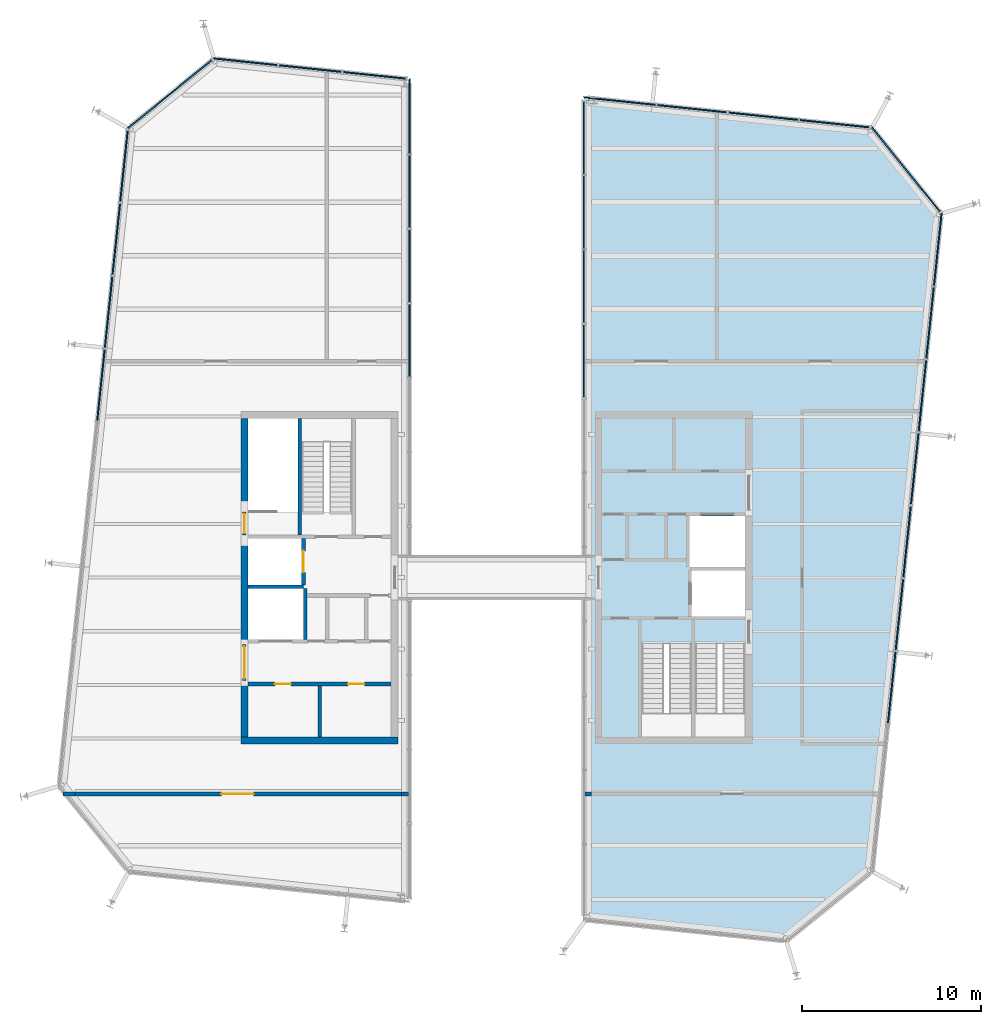
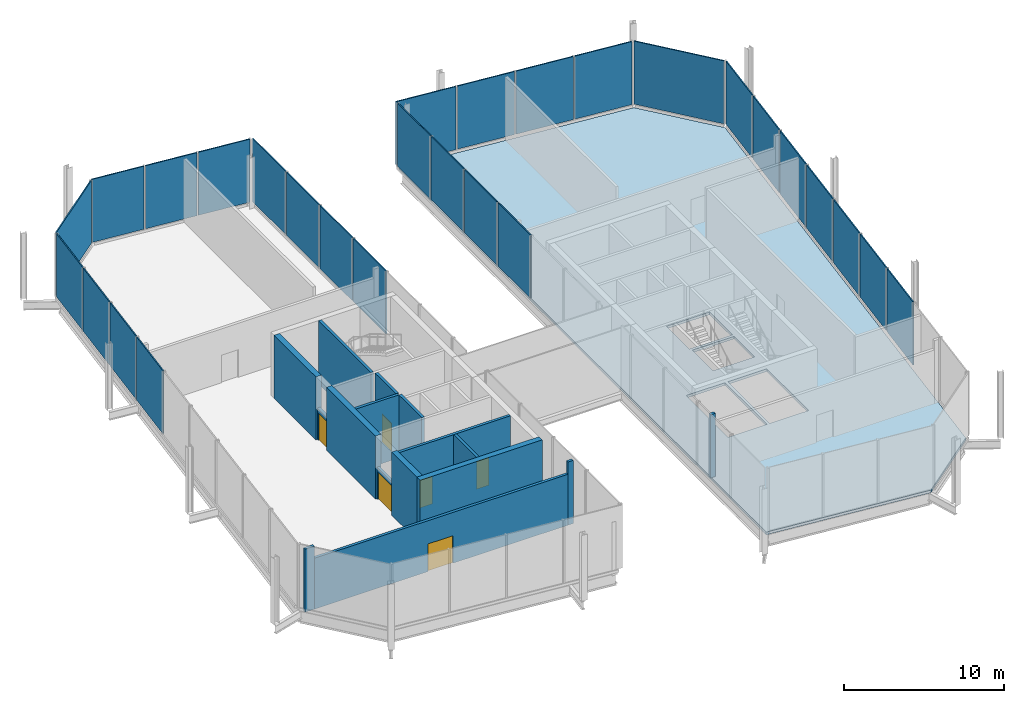
# One storey, part 8 of 12: 28 plates, 16 walls, 6 doors, 1 slab, 6 openings, 8 elements without a shape of their own.
"""IFC4 building model written with IfcOpenShell, lengths in metres."""

import ifcopenshell
import ifcopenshell.guid

model = None  # the IFC model being written
_history = None  # IfcOwnerHistory: only IFC2X3 demands one
_inside = {}  # id of a spatial element -> (the spatial element, [elements in it])
_under = {}  # id of a project, library or spatial element -> (it, [spatial elements below it])
_declared = {}  # id of a project -> (the project, [libraries it declares])
_typed = {}  # id of a type object -> (the type object, [elements of that type])
_made_of = {}  # id of a material, layer set ... -> (it, [elements and type objects made of it])


def new_model(schema):
    """Start an empty IFC model of exactly this schema.

    Asked for "IFC4X3", IfcOpenShell would pick the latest addendum, in which some entities
    have other attributes; the version numbers below select the first issue.
    IFC2X3 requires an IfcOwnerHistory on every rooted entity: one is made here for all.
    """
    global model, _history
    if schema == "IFC4X3":
        model = ifcopenshell.file(schema_version=(4, 3, 0, 0))
    else:
        model = ifcopenshell.file(schema=schema)
    _inside.clear()
    _under.clear()
    _declared.clear()
    _typed.clear()
    _made_of.clear()
    _history = None
    if model.schema == "IFC2X3":
        org = make("IfcOrganization", Name="unknown")
        user = make(
            "IfcPersonAndOrganization",
            ThePerson=make("IfcPerson", FamilyName="unknown"),
            TheOrganization=org,
        )
        app = make(
            "IfcApplication",
            ApplicationDeveloper=org,
            Version="unknown",
            ApplicationFullName="unknown",
            ApplicationIdentifier="unknown",
        )
        _history = make(
            "IfcOwnerHistory",
            OwningUser=user,
            OwningApplication=app,
            ChangeAction="ADDED",
            CreationDate=0,
        )
    return model


def make(cls, **values):
    """One entity of the class cls with the attributes given. An attribute that is None is left unset."""
    return model.create_entity(
        cls, **{name: value for name, value in values.items() if value is not None}
    )


def rooted(cls, **values):
    """An entity with a GlobalId (a new one), such as an element, a storey or a relation."""
    return make(cls, GlobalId=ifcopenshell.guid.new(), OwnerHistory=_history, **values)


def si_unit(unit_type, name, prefix=None):
    """IfcSIUnit, for example si_unit("LENGTHUNIT", "METRE", prefix="MILLI")."""
    return make("IfcSIUnit", UnitType=unit_type, Prefix=prefix, Name=name)


def assignment(units):
    """IfcUnitAssignment: the units of a project."""
    return None if units is None else make("IfcUnitAssignment", Units=units)


def point(xyz):
    """IfcCartesianPoint."""
    return None if xyz is None else make("IfcCartesianPoint", Coordinates=xyz)


def direction(xyz):
    """IfcDirection."""
    return None if xyz is None else make("IfcDirection", DirectionRatios=xyz)


def frame(location, z_axis=None, x_axis=None):
    """IfcAxis2Placement3D, a coordinate frame: its origin and axes. An axis left out is left unset."""
    return make(
        "IfcAxis2Placement3D",
        Location=point(location),
        Axis=direction(z_axis),
        RefDirection=direction(x_axis),
    )


def frame_2d(location, x_axis=None):
    """IfcAxis2Placement2D, a coordinate frame in the plane: its origin and x axis."""
    return make(
        "IfcAxis2Placement2D", Location=point(location), RefDirection=direction(x_axis)
    )


def origin():
    """The frame at (0, 0, 0) with its axes left unset."""
    return frame((0.0, 0.0, 0.0))


def place(relative_to, where):
    """IfcLocalPlacement: puts the frame where relative to a parent placement (None: the world)."""
    return make(
        "IfcLocalPlacement", PlacementRelTo=relative_to, RelativePlacement=where
    )


def context(
    kind, dimensions, precision=None, world=None, true_north=None, identifier=None
):
    """IfcGeometricRepresentationContext, for example the 3D "Model" context."""
    return make(
        "IfcGeometricRepresentationContext",
        ContextIdentifier=identifier,
        ContextType=kind,
        CoordinateSpaceDimension=dimensions,
        Precision=precision,
        WorldCoordinateSystem=world,
        TrueNorth=true_north,
    )


def subcontext(parent, identifier, kind, view, scale=None):
    """IfcGeometricRepresentationSubContext, for example "Body" below "Model"."""
    return make(
        "IfcGeometricRepresentationSubContext",
        ContextIdentifier=identifier,
        ContextType=kind,
        ParentContext=parent,
        TargetScale=scale,
        TargetView=view,
    )


def project(units=None, contexts=None):
    """IfcProject with its units and contexts."""
    return rooted(
        "IfcProject",
        Name="project",
        RepresentationContexts=contexts,
        UnitsInContext=assignment(units),
    )


def spatial(cls, under=None, at=None, **own):
    """A site, building, storey or space (cls), placed at a placement, below another one or the project."""
    s = rooted(cls, ObjectPlacement=at, **own)
    if under is not None:
        _under.setdefault(under.id(), (under, []))[1].append(s)
    return s


def polyline(points):
    """IfcPolyline through the points."""
    return make("IfcPolyline", Points=[point(p) for p in points])


def profile(cls, at=None, kind="AREA", **sizes):
    """A parametric profile (cls). Its sizes go by their IFC names, for example OverallWidth=200.0."""
    return make(cls, ProfileType=kind, Position=at, **sizes)


def rectangle(**sizes):
    """IfcRectangleProfileDef."""
    return profile("IfcRectangleProfileDef", **sizes)


def outline(outer, holes=None, kind="AREA"):
    """IfcArbitraryClosedProfileDef: a profile drawn as a closed curve; with holes, ...WithVoids."""
    if holes is None:
        return make("IfcArbitraryClosedProfileDef", ProfileType=kind, OuterCurve=outer)
    return make(
        "IfcArbitraryProfileDefWithVoids",
        ProfileType=kind,
        OuterCurve=outer,
        InnerCurves=holes,
    )


def extrude(swept, where, along, depth):
    """IfcExtrudedAreaSolid: the profile swept, set in the frame where, extruded along a direction by depth."""
    return make(
        "IfcExtrudedAreaSolid",
        SweptArea=swept,
        Position=where,
        ExtrudedDirection=direction(along),
        Depth=depth,
    )


def shape(context_of_items, identifier, shape_type, items):
    """IfcShapeRepresentation: the items that make up one representation, for example the "Body"."""
    return make(
        "IfcShapeRepresentation",
        ContextOfItems=context_of_items,
        RepresentationIdentifier=identifier,
        RepresentationType=shape_type,
        Items=items,
    )


def material(Name=None, Category=None):
    """IfcMaterial."""
    return make("IfcMaterial", Name=Name, Category=Category)


def layer(
    of_material, thickness, ventilated=None, Name=None, Category=None, Priority=None
):
    """IfcMaterialLayer: one layer of a wall or slab, of a material (None: an air gap)."""
    return make(
        "IfcMaterialLayer",
        Material=of_material,
        LayerThickness=thickness,
        IsVentilated=ventilated,
        Name=Name,
        Category=Category,
        Priority=Priority,
    )


def layer_set(layers, Name=None):
    """IfcMaterialLayerSet."""
    return make("IfcMaterialLayerSet", MaterialLayers=layers, LayerSetName=Name)


def made_of(thing, what):
    """Note that an element or type object is made of a material, layer set ...; save() writes the relation."""
    if what is not None:
        _made_of.setdefault(what.id(), (what, []))[1].append(thing)
    return thing


def type_object(cls, material=None, **own):
    """A type object (cls), such as IfcWallType, which elements share."""
    return made_of(rooted(cls, **own), material)


def element(
    cls,
    number,
    at=None,
    inside=None,
    cuts=None,
    type_object=None,
    material=None,
    context=None,
    identifier="Body",
    shape_type=None,
    held_by="IfcProductDefinitionShape",
    body=None,
    shapes=None,
    **own,
):
    """One element of the class cls, such as IfcWall. Its Tag is "e" and its number.

    at: its placement. inside: the storey or other place that contains it. cuts: it is an
    opening in that element (IfcRelVoidsElement). A single representation is given by context,
    identifier, shape_type and body (its items); several are given by shapes. held_by: the class
    of the entity that holds the representations. save() writes the other relations.
    """
    e = rooted(cls, Tag="e%d" % number, ObjectPlacement=at, **own)
    if body is not None:
        shapes = [shape(context, identifier, shape_type, body)]
    if shapes is not None:
        e.Representation = make(held_by, Representations=shapes)
    if inside is not None:
        _inside.setdefault(inside.id(), (inside, []))[1].append(e)
    if cuts is not None:
        rooted(
            "IfcRelVoidsElement", RelatingBuildingElement=cuts, RelatedOpeningElement=e
        )
    if type_object is not None:
        _typed.setdefault(type_object.id(), (type_object, []))[1].append(e)
    return made_of(e, material)


def fill(opening, filler):
    """IfcRelFillsElement: the door or window that sits in an opening."""
    return rooted(
        "IfcRelFillsElement",
        RelatingOpeningElement=opening,
        RelatedBuildingElement=filler,
    )


def aggregate(whole, parts):
    """IfcRelAggregates: a whole, such as a stair, and the parts it consists of."""
    return rooted("IfcRelAggregates", RelatingObject=whole, RelatedObjects=parts)


def save(model, path):
    """Write the relations noted so far, then the file.

    IfcRelAggregates (storeys below a building ...), IfcRelContainedInSpatialStructure (elements
    in a storey), IfcRelDefinesByType, IfcRelAssociatesMaterial and IfcRelDeclares: one each for
    every whole, place, type object, material and project.
    """
    for whole, parts in _under.values():
        aggregate(whole, parts)
    for where, things in _inside.values():
        rooted(
            "IfcRelContainedInSpatialStructure",
            RelatedElements=things,
            RelatingStructure=where,
        )
    for kind, things in _typed.values():
        rooted("IfcRelDefinesByType", RelatedObjects=things, RelatingType=kind)
    for what, things in _made_of.values():
        rooted("IfcRelAssociatesMaterial", RelatedObjects=things, RelatingMaterial=what)
    for by, libraries in _declared.values():
        rooted("IfcRelDeclares", RelatingContext=by, RelatedDefinitions=libraries)
    model.write(path)


model = new_model("IFC4")

# Units and contexts
model_context = context("Model", 3, precision=1e-05, world=origin(), true_north=direction((0.0, 1.0)))
body_context = subcontext(model_context, "Body", "Model", "MODEL_VIEW")
ifc_project = project(units=[si_unit("LENGTHUNIT", "METRE"), si_unit("AREAUNIT", "SQUARE_METRE"), si_unit("VOLUMEUNIT", "CUBIC_METRE"), si_unit("PLANEANGLEUNIT", "RADIAN"), si_unit("MASSUNIT", "GRAM", prefix="KILO")], contexts=[model_context])

# Site, building, storey
site_placement = place(None, origin())
site = spatial("IfcSite", under=ifc_project, at=site_placement, CompositionType="ELEMENT")
building_placement = place(site_placement, origin())
building = spatial("IfcBuilding", under=site, at=building_placement, Name="Millrace Tower", CompositionType="ELEMENT")
storey_placement = place(building_placement, frame((0.0, 0.0, 347.10009765625)))
storey = spatial("IfcBuildingStorey", under=building, at=storey_placement, Name="L80", CompositionType="ELEMENT", Elevation=347.10009765625)

# Curtain wall, plates
ifc_material_1 = material(Name="Aluminium and glass", Category="aluminium")
ifc_layer_1 = layer(ifc_material_1, 0.25)
ifc_layer_set_1 = layer_set([ifc_layer_1], Name="Aluminium and glass")
curtain_wall_type = type_object("IfcCurtainWallType", Name="CW-7 crown louvred enclosure", PredefinedType="NOTDEFINED", material=ifc_layer_set_1)
placement_1 = place(storey_placement, origin())
curtain_wall_1 = element("IfcCurtainWall", 1, at=placement_1, inside=storey, type_object=curtain_wall_type, Name="Curtain wall CW-F01 L80", PredefinedType="NOTDEFINED")
ifc_material_2 = material(Name="Glass", Category="glass")
ifc_layer_2 = layer(ifc_material_2, 0.080078125)
ifc_layer_set_2 = layer_set([ifc_layer_2], Name="Glass")
plate_type = type_object("IfcPlateType", Name="CW-7 crown louvred enclosure fixed louvre panel", PredefinedType="CURTAIN_PANEL", material=ifc_layer_set_2)
placement_2 = place(storey_placement, frame((0.0, 0.0, 0.199951171875)))
plate_1 = element("IfcPlate", 2, at=placement_2, type_object=plate_type, Name="CW7 panel CW-F01.8", PredefinedType="CURTAIN_PANEL", context=body_context, shape_type="SweptSolid", body=[
    extrude(outline(polyline([(-4.8349609375, 11.2353515625), (-4.8349609375, 15.29443359375), (-4.9150390625, 15.29443359375), (-4.9150390625, 11.2353515625), (-4.8349609375, 11.2353515625)])), origin(), (0.0, 0.0, 1.0), 4.800048828125),
])
plate_2 = element("IfcPlate", 3, at=placement_2, type_object=plate_type, Name="CW7 panel CW-F01.9", PredefinedType="CURTAIN_PANEL", context=body_context, shape_type="SweptSolid", body=[
    extrude(outline(polyline([(-4.8349609375, 15.39453125), (-4.8349609375, 19.45361328125), (-4.9150390625, 19.45361328125), (-4.9150390625, 15.39453125), (-4.8349609375, 15.39453125)])), origin(), (0.0, 0.0, 1.0), 4.800048828125),
])
plate_3 = element("IfcPlate", 4, at=placement_2, type_object=plate_type, Name="CW7 panel CW-F01.10", PredefinedType="CURTAIN_PANEL", context=body_context, shape_type="SweptSolid", body=[
    extrude(outline(polyline([(-4.8349609375, 19.553466796875), (-4.8349609375, 23.61279296875), (-4.9150390625, 23.61279296875), (-4.9150390625, 19.553466796875), (-4.8349609375, 19.553466796875)])), origin(), (0.0, 0.0, 1.0), 4.800048828125),
])
plate_4 = element("IfcPlate", 5, at=placement_2, type_object=plate_type, Name="CW7 panel CW-F01.11", PredefinedType="CURTAIN_PANEL", context=body_context, shape_type="SweptSolid", body=[
    extrude(outline(polyline([(-4.8349609375, 23.712646484375), (-4.8349609375, 27.92041015625), (-4.9150390625, 27.848388671875), (-4.9150390625, 23.712646484375), (-4.8349609375, 23.712646484375)])), origin(), (0.0, 0.0, 1.0), 4.800048828125),
])
aggregate(curtain_wall_1, [plate_1, plate_2, plate_3, plate_4])

curtain_wall_2 = element("IfcCurtainWall", 6, at=placement_1, inside=storey, type_object=curtain_wall_type, Name="Curtain wall CW-F02 L80", PredefinedType="NOTDEFINED")
plate_5 = element("IfcPlate", 7, at=placement_2, type_object=plate_type, Name="CW7 panel CW-F02.1", PredefinedType="CURTAIN_PANEL", context=body_context, shape_type="SweptSolid", body=[
    extrude(outline(polyline([(-5.082275390625, 27.9462890625), (-8.572998046875, 28.313232421875), (-8.581298828125, 28.233642578125), (-5.090576171875, 27.866943359375), (-5.082275390625, 27.9462890625)])), origin(), (0.0, 0.0, 1.0), 4.800048828125),
])
plate_6 = element("IfcPlate", 8, at=placement_2, type_object=plate_type, Name="CW7 panel CW-F02.2", PredefinedType="CURTAIN_PANEL", context=body_context, shape_type="SweptSolid", body=[
    extrude(outline(polyline([(-8.672607421875, 28.32373046875), (-12.163330078125, 28.690673828125), (-12.171630859375, 28.611083984375), (-8.680908203125, 28.244140625), (-8.672607421875, 28.32373046875)])), origin(), (0.0, 0.0, 1.0), 4.800048828125),
])
plate_7 = element("IfcPlate", 9, at=placement_2, type_object=plate_type, Name="CW7 panel CW-F02.3", PredefinedType="CURTAIN_PANEL", context=body_context, shape_type="SweptSolid", body=[
    extrude(outline(polyline([(-12.2626953125, 28.701171875), (-15.821533203125, 29.0751953125), (-15.797119140625, 28.9921875), (-12.271240234375, 28.62158203125), (-12.2626953125, 28.701171875)])), origin(), (0.0, 0.0, 1.0), 4.800048828125),
])
aggregate(curtain_wall_2, [plate_5, plate_6, plate_7])

# Curtain wall, plate
curtain_wall_3 = element("IfcCurtainWall", 10, at=placement_1, inside=storey, type_object=curtain_wall_type, Name="Curtain wall CW-F03 L80", PredefinedType="NOTDEFINED")
plate_8 = element("IfcPlate", 11, at=placement_2, type_object=plate_type, Name="CW7 panel CW-F03.1", PredefinedType="CURTAIN_PANEL", context=body_context, shape_type="SweptSolid", body=[
    extrude(outline(polyline([(-15.952392578125, 28.96923828125), (-20.65380859375, 25.162109375), (-20.57763671875, 25.120849609375), (-15.902099609375, 28.906982421875), (-15.952392578125, 28.96923828125)])), origin(), (0.0, 0.0, 1.0), 4.800048828125),
])
aggregate(curtain_wall_3, [plate_8])

# Curtain wall, plates
curtain_wall_4 = element("IfcCurtainWall", 12, at=placement_1, inside=storey, type_object=curtain_wall_type, Name="Curtain wall CW-F04 L80", PredefinedType="NOTDEFINED")
plate_9 = element("IfcPlate", 13, at=placement_2, type_object=plate_type, Name="CW7 panel CW-F04.1", PredefinedType="CURTAIN_PANEL", context=body_context, shape_type="SweptSolid", body=[
    extrude(outline(polyline([(-20.67138671875, 24.99462890625), (-21.089599609375, 21.0166015625), (-21.010009765625, 21.00830078125), (-20.591796875, 24.986328125), (-20.67138671875, 24.99462890625)])), origin(), (0.0, 0.0, 1.0), 4.800048828125),
])
plate_10 = element("IfcPlate", 14, at=placement_2, type_object=plate_type, Name="CW7 panel CW-F04.2", PredefinedType="CURTAIN_PANEL", context=body_context, shape_type="SweptSolid", body=[
    extrude(outline(polyline([(-21.099853515625, 20.917236328125), (-21.51806640625, 16.939208984375), (-21.4384765625, 16.9306640625), (-21.020263671875, 20.908935546875), (-21.099853515625, 20.917236328125)])), origin(), (0.0, 0.0, 1.0), 4.800048828125),
])
plate_11 = element("IfcPlate", 15, at=placement_2, type_object=plate_type, Name="CW7 panel CW-F04.3", PredefinedType="CURTAIN_PANEL", context=body_context, shape_type="SweptSolid", body=[
    extrude(outline(polyline([(-21.528564453125, 16.839599609375), (-21.946533203125, 12.861572265625), (-21.866943359375, 12.853271484375), (-21.448974609375, 16.831298828125), (-21.528564453125, 16.839599609375)])), origin(), (0.0, 0.0, 1.0), 4.800048828125),
])
plate_12 = element("IfcPlate", 16, at=placement_2, type_object=plate_type, Name="CW7 panel CW-F04.4", PredefinedType="CURTAIN_PANEL", context=body_context, shape_type="SweptSolid", body=[
    extrude(outline(polyline([(-21.95703125, 12.76220703125), (-22.375244140625, 8.783935546875), (-22.295654296875, 8.775634765625), (-21.87744140625, 12.753662109375), (-21.95703125, 12.76220703125)])), origin(), (0.0, 0.0, 1.0), 4.800048828125),
])
aggregate(curtain_wall_4, [plate_9, plate_10, plate_11, plate_12])

curtain_wall_5 = element("IfcCurtainWall", 17, at=placement_1, inside=storey, type_object=curtain_wall_type, Name="Curtain wall CE-F01 L80", PredefinedType="NOTDEFINED")
plate_13 = element("IfcPlate", 18, at=placement_2, type_object=plate_type, Name="CW7 panel CE-F01.1", PredefinedType="CURTAIN_PANEL", context=body_context, shape_type="SweptSolid", body=[
    extrude(outline(polyline([(4.8349609375, 26.620849609375), (4.8349609375, 22.561767578125), (4.9150390625, 22.561767578125), (4.9150390625, 26.620849609375), (4.8349609375, 26.620849609375)])), origin(), (0.0, 0.0, 1.0), 4.800048828125),
])
plate_14 = element("IfcPlate", 19, at=placement_2, type_object=plate_type, Name="CW7 panel CE-F01.2", PredefinedType="CURTAIN_PANEL", context=body_context, shape_type="SweptSolid", body=[
    extrude(outline(polyline([(4.8349609375, 22.461669921875), (4.8349609375, 18.402587890625), (4.9150390625, 18.402587890625), (4.9150390625, 22.461669921875), (4.8349609375, 22.461669921875)])), origin(), (0.0, 0.0, 1.0), 4.800048828125),
])
plate_15 = element("IfcPlate", 20, at=placement_2, type_object=plate_type, Name="CW7 panel CE-F01.3", PredefinedType="CURTAIN_PANEL", context=body_context, shape_type="SweptSolid", body=[
    extrude(outline(polyline([(4.8349609375, 18.302490234375), (4.8349609375, 14.243408203125), (4.9150390625, 14.243408203125), (4.9150390625, 18.302490234375), (4.8349609375, 18.302490234375)])), origin(), (0.0, 0.0, 1.0), 4.800048828125),
])
plate_16 = element("IfcPlate", 21, at=placement_2, type_object=plate_type, Name="CW7 panel CE-F01.4", PredefinedType="CURTAIN_PANEL", context=body_context, shape_type="SweptSolid", body=[
    extrude(outline(polyline([(4.8349609375, 14.143310546875), (4.8349609375, 10.084228515625), (4.9150390625, 10.084228515625), (4.9150390625, 14.143310546875), (4.8349609375, 14.143310546875)])), origin(), (0.0, 0.0, 1.0), 4.800048828125),
])
aggregate(curtain_wall_5, [plate_13, plate_14, plate_15, plate_16])

curtain_wall_6 = element("IfcCurtainWall", 22, at=placement_1, inside=storey, type_object=curtain_wall_type, Name="Curtain wall CE-F04 L80", PredefinedType="NOTDEFINED")
plate_17 = element("IfcPlate", 23, at=placement_2, type_object=plate_type, Name="CW7 panel CE-F04.3", PredefinedType="CURTAIN_PANEL", context=body_context, shape_type="SweptSolid", body=[
    extrude(outline(polyline([(21.928466796875, -8.1396484375), (22.3466796875, -4.16162109375), (22.26708984375, -4.1533203125), (21.848876953125, -8.13134765625), (21.928466796875, -8.1396484375)])), origin(), (0.0, 0.0, 1.0), 4.800048828125),
])
plate_18 = element("IfcPlate", 24, at=placement_2, type_object=plate_type, Name="CW7 panel CE-F04.4", PredefinedType="CURTAIN_PANEL", context=body_context, shape_type="SweptSolid", body=[
    extrude(outline(polyline([(22.357177734375, -4.06201171875), (22.775146484375, -0.083984375), (22.695556640625, -0.07568359375), (22.277587890625, -4.0537109375), (22.357177734375, -4.06201171875)])), origin(), (0.0, 0.0, 1.0), 4.800048828125),
])
plate_19 = element("IfcPlate", 25, at=placement_2, type_object=plate_type, Name="CW7 panel CE-F04.5", PredefinedType="CURTAIN_PANEL", context=body_context, shape_type="SweptSolid", body=[
    extrude(outline(polyline([(22.78564453125, 0.015380859375), (23.203857421875, 3.993408203125), (23.124267578125, 4.001953125), (22.7060546875, 0.023681640625), (22.78564453125, 0.015380859375)])), origin(), (0.0, 0.0, 1.0), 4.800048828125),
])
plate_20 = element("IfcPlate", 26, at=placement_2, type_object=plate_type, Name="CW7 panel CE-F04.6", PredefinedType="CURTAIN_PANEL", context=body_context, shape_type="SweptSolid", body=[
    extrude(outline(polyline([(23.214111328125, 4.093017578125), (23.63232421875, 8.071044921875), (23.552734375, 8.079345703125), (23.134521484375, 4.101318359375), (23.214111328125, 4.093017578125)])), origin(), (0.0, 0.0, 1.0), 4.800048828125),
])
plate_21 = element("IfcPlate", 27, at=placement_2, type_object=plate_type, Name="CW7 panel CE-F04.7", PredefinedType="CURTAIN_PANEL", context=body_context, shape_type="SweptSolid", body=[
    extrude(outline(polyline([(23.642822265625, 8.17041015625), (24.060791015625, 12.148681640625), (23.9814453125, 12.156982421875), (23.563232421875, 8.178955078125), (23.642822265625, 8.17041015625)])), origin(), (0.0, 0.0, 1.0), 4.800048828125),
])
plate_22 = element("IfcPlate", 28, at=placement_2, type_object=plate_type, Name="CW7 panel CE-F04.8", PredefinedType="CURTAIN_PANEL", context=body_context, shape_type="SweptSolid", body=[
    extrude(outline(polyline([(24.0712890625, 12.248046875), (24.489501953125, 16.22607421875), (24.409912109375, 16.234375), (23.99169921875, 12.25634765625), (24.0712890625, 12.248046875)])), origin(), (0.0, 0.0, 1.0), 4.800048828125),
])
plate_23 = element("IfcPlate", 29, at=placement_2, type_object=plate_type, Name="CW7 panel CE-F04.9", PredefinedType="CURTAIN_PANEL", context=body_context, shape_type="SweptSolid", body=[
    extrude(outline(polyline([(24.5, 16.32568359375), (24.925048828125, 20.37158203125), (24.842041015625, 20.346923828125), (24.42041015625, 16.333984375), (24.5, 16.32568359375)])), origin(), (0.0, 0.0, 1.0), 4.800048828125),
])
aggregate(curtain_wall_6, [plate_17, plate_18, plate_19, plate_20, plate_21, plate_22, plate_23])

# Curtain wall, plate
curtain_wall_7 = element("IfcCurtainWall", 30, at=placement_1, inside=storey, type_object=curtain_wall_type, Name="Curtain wall CE-F05 L80", PredefinedType="NOTDEFINED")
plate_24 = element("IfcPlate", 31, at=placement_2, type_object=plate_type, Name="CW7 panel CE-F05.1", PredefinedType="CURTAIN_PANEL", context=body_context, shape_type="SweptSolid", body=[
    extrude(outline(polyline([(24.8193359375, 20.50244140625), (21.01220703125, 25.203857421875), (20.970947265625, 25.127685546875), (24.757080078125, 20.4521484375), (24.8193359375, 20.50244140625)])), origin(), (0.0, 0.0, 1.0), 4.800048828125),
])
aggregate(curtain_wall_7, [plate_24])

# Curtain wall, plates
curtain_wall_8 = element("IfcCurtainWall", 32, at=placement_1, inside=storey, type_object=curtain_wall_type, Name="Curtain wall CE-F06 L80", PredefinedType="NOTDEFINED")
plate_25 = element("IfcPlate", 33, at=placement_2, type_object=plate_type, Name="CW7 panel CE-F06.1", PredefinedType="CURTAIN_PANEL", context=body_context, shape_type="SweptSolid", body=[
    extrude(outline(polyline([(20.8447265625, 25.221435546875), (16.96240234375, 25.62939453125), (16.9541015625, 25.5498046875), (20.83642578125, 25.141845703125), (20.8447265625, 25.221435546875)])), origin(), (0.0, 0.0, 1.0), 4.800048828125),
])
plate_26 = element("IfcPlate", 34, at=placement_2, type_object=plate_type, Name="CW7 panel CE-F06.2", PredefinedType="CURTAIN_PANEL", context=body_context, shape_type="SweptSolid", body=[
    extrude(outline(polyline([(16.863037109375, 25.639892578125), (12.980712890625, 26.0478515625), (12.972412109375, 25.96826171875), (16.854736328125, 25.560302734375), (16.863037109375, 25.639892578125)])), origin(), (0.0, 0.0, 1.0), 4.800048828125),
])
plate_27 = element("IfcPlate", 35, at=placement_2, type_object=plate_type, Name="CW7 panel CE-F06.3", PredefinedType="CURTAIN_PANEL", context=body_context, shape_type="SweptSolid", body=[
    extrude(outline(polyline([(12.88134765625, 26.058349609375), (8.9990234375, 26.46630859375), (8.99072265625, 26.386962890625), (12.872802734375, 25.978759765625), (12.88134765625, 26.058349609375)])), origin(), (0.0, 0.0, 1.0), 4.800048828125),
])
plate_28 = element("IfcPlate", 36, at=placement_2, type_object=plate_type, Name="CW7 panel CE-F06.4", PredefinedType="CURTAIN_PANEL", context=body_context, shape_type="SweptSolid", body=[
    extrude(outline(polyline([(8.8994140625, 26.476806640625), (4.8349609375, 26.904052734375), (4.9150390625, 26.815185546875), (8.89111328125, 26.397216796875), (8.8994140625, 26.476806640625)])), origin(), (0.0, 0.0, 1.0), 4.800048828125),
])
aggregate(curtain_wall_8, [plate_25, plate_26, plate_27, plate_28])

# Slab
ifc_material_3 = material(Name="Concrete C35 on steel deck", Category="concrete")
ifc_layer_3 = layer(ifc_material_3, 0.199951171875)
ifc_layer_set_3 = layer_set([ifc_layer_3], Name="Concrete C35 on steel deck")
slab_type = type_object("IfcSlabType", Name="Composite floor slab 200 mm", PredefinedType="FLOOR", material=ifc_layer_set_3)
slab_placement = place(storey_placement, frame((0.0, 0.0, -0.2001953125)))
element("IfcSlab", 37, at=slab_placement, inside=storey, type_object=slab_type, Name="SL-CROWN-L80-SE", PredefinedType="FLOOR", context=body_context, shape_type="SweptSolid", body=[
    extrude(outline(polyline([(5.0, 26.720703125), (5.0, -19.02978515625), (16.1708984375, -20.203857421875), (20.896728515625, -16.376953125), (24.75390625, 20.32080078125), (20.927001953125, 25.046875), (5.0, 26.720703125)]), holes=[polyline([(10.800048828125, 0.60009765625), (13.89990234375, 0.60009765625), (13.89990234375, 3.449951171875), (10.800048828125, 3.449951171875), (10.800048828125, 0.60009765625)]), polyline([(10.89990234375, -2.179931640625), (13.89990234375, -2.179931640625), (13.89990234375, 0.39990234375), (10.89990234375, 0.39990234375), (10.89990234375, -2.179931640625)]), polyline([(11.10009765625, -8.89990234375), (13.89990234375, -8.89990234375), (13.89990234375, -3.679931640625), (11.10009765625, -3.679931640625), (11.10009765625, -8.89990234375)]), polyline([(8.10009765625, -8.89990234375), (10.89990234375, -8.89990234375), (10.89990234375, -3.679931640625), (8.10009765625, -3.679931640625), (8.10009765625, -8.89990234375)])]), origin(), (0.0, 0.0, 1.0), 0.2001953125),
])

# Walls
ifc_material_4 = material(Name="Concrete C60", Category="concrete")
ifc_layer_4 = layer(ifc_material_4, 0.39990234375)
ifc_layer_set_4 = layer_set([ifc_layer_4], Name="Concrete C60")
wall_type_1 = type_object("IfcWallType", Name="Core wall 400 Concrete C60", PredefinedType="SHEAR", material=ifc_layer_set_4)
wall_1_placement = place(storey_placement, frame((-14.300048828125, -9.10009765625, 0.0), z_axis=(0.0, 0.0, 1.0), x_axis=(1.0, 0.0, 0.0)))
element("IfcWall", 38, at=wall_1_placement, inside=storey, type_object=wall_type_1, Name="Core wall W L80", PredefinedType="SHEAR", context=body_context, shape_type="SweptSolid", body=[
    extrude(rectangle(XDim=8.800048828125, YDim=0.39990234375, at=frame_2d((4.39990234375, 0.0))), origin(), (0.0, 0.0, 1.0), 4.7998046875),
])
wall_2_placement = place(storey_placement, frame((-14.10009765625, -8.89990234375, 0.0), z_axis=(0.0, 0.0, 1.0), x_axis=(0.0, 1.0, 0.0)))
element("IfcWall", 39, at=wall_2_placement, inside=storey, type_object=wall_type_1, Name="Core wall W L80", PredefinedType="SHEAR", context=body_context, shape_type="SweptSolid", body=[
    extrude(rectangle(XDim=3.14990234375, YDim=0.39990234375, at=frame_2d((1.574951171875, 0.0))), origin(), (0.0, 0.0, 1.0), 4.7998046875),
])
wall_3_placement = place(storey_placement, frame((-14.10009765625, -3.75, 0.0), z_axis=(0.0, 0.0, 1.0), x_axis=(0.0, 1.0, 0.0)))
element("IfcWall", 40, at=wall_3_placement, inside=storey, type_object=wall_type_1, Name="Core wall W L80", PredefinedType="SHEAR", context=body_context, shape_type="SweptSolid", body=[
    extrude(rectangle(XDim=6.1298828125, YDim=0.39990234375, at=frame_2d((3.06494140625, 0.0))), origin(), (0.0, 0.0, 1.0), 4.7998046875),
])
wall_4_placement = place(storey_placement, frame((-14.10009765625, 3.679931640625, 0.0), z_axis=(0.0, 0.0, 1.0), x_axis=(0.0, 1.0, 0.0)))
element("IfcWall", 41, at=wall_4_placement, inside=storey, type_object=wall_type_1, Name="Core wall W L80", PredefinedType="SHEAR", context=body_context, shape_type="SweptSolid", body=[
    extrude(rectangle(XDim=5.219970703125, YDim=0.39990234375, at=frame_2d((2.60986328125, 0.0))), origin(), (0.0, 0.0, 1.0), 4.7998046875),
])
ifc_material_5 = material(Name="Masonry partition, fire-rated", Category="masonry")
ifc_layer_5 = layer(ifc_material_5, 0.199951171875)
ifc_layer_set_5 = layer_set([ifc_layer_5], Name="Masonry partition, fire-rated")
wall_type_2 = type_object("IfcWallType", Name="Corridor wall 200", PredefinedType="PARTITIONING", material=ifc_layer_set_5)
wall_5_placement = place(storey_placement, frame((-24.2431640625, -12.10009765625, 0.0), z_axis=(0.0, 0.0, 1.0), x_axis=(1.0, 0.0, 0.0)))
element("IfcWall", 42, at=wall_5_placement, inside=storey, type_object=wall_type_2, Name="Corridor wall L80", PredefinedType="PARTITIONING", context=body_context, shape_type="SweptSolid", body=[
    extrude(rectangle(XDim=0.65966796875, YDim=0.199951171875, at=frame_2d((0.329833984375, 0.0))), origin(), (0.0, 0.0, 1.0), 4.7998046875),
])

# Wall, opening, door
wall_6_placement = place(storey_placement, frame((-23.58349609375, -12.10009765625, 0.0), z_axis=(0.0, 0.0, 1.0), x_axis=(1.0, 0.0, 0.0)))
wall_6 = element("IfcWall", 43, at=wall_6_placement, inside=storey, type_object=wall_type_2, Name="Corridor wall L80", PredefinedType="PARTITIONING", context=body_context, shape_type="SweptSolid", body=[
    extrude(rectangle(XDim=18.276123046875, YDim=0.199951171875, at=frame_2d((9.13818359375, 0.0))), origin(), (0.0, 0.0, 1.0), 3.872802734375),
])
opening_1_placement = place(wall_6_placement, frame((8.198974609375, 0.0, 0.0)))
opening_1 = element("IfcOpeningElement", 44, at=opening_1_placement, cuts=wall_6, Name="Opening 80-P003", PredefinedType="OPENING", context=body_context, shape_type="SweptSolid", body=[
    extrude(rectangle(XDim=1.800048828125, YDim=2.10009765625, at=frame_2d((0.89990234375, 1.050048828125))), frame((0.0, 0.10986328125, 0.0), z_axis=(0.0, -1.0, 0.0), x_axis=(1.0, 0.0, 0.0)), (0.0, 0.0, 1.0), 0.219970703125),
])
ifc_material_6 = material(Name="Steel door set, fire-rated", Category="steel")
door_type_1 = type_object("IfcDoorType", Name="Corridor door 1800 x 2100", OperationType="DOUBLE_DOOR_SINGLE_SWING", PredefinedType="DOOR", material=ifc_material_6)
door_1_placement = place(opening_1_placement, frame((1.800048828125, 0.0, 0.0), z_axis=(0.0, 0.0, 1.0), x_axis=(-1.0, 0.0, 0.0)))
door_1 = element("IfcDoor", 45, at=door_1_placement, inside=storey, type_object=door_type_1, Name="Door 80-P003", OperationType="DOUBLE_DOOR_SINGLE_SWING", OverallHeight=2.10009765625, OverallWidth=1.800048828125, PredefinedType="DOOR", context=body_context, shape_type="SweptSolid", body=[
    extrude(rectangle(XDim=1.800048828125, YDim=2.10009765625, at=frame_2d((0.89990234375, 1.050048828125))), frame((0.0, 0.02490234375, 0.0), z_axis=(0.0, -1.0, 0.0), x_axis=(1.0, 0.0, 0.0)), (0.0, 0.0, 1.0), 0.050048828125),
])
fill(opening_1, door_1)

# Walls
for number, where, z_axis, x_axis, name in (
    (46, (-5.307373046875, -12.10009765625, 0.0), (0.0, 0.0, 1.0), (1.0, 0.0, 0.0), "Corridor wall L80"),
    (47, (4.93994140625, -12.10009765625, 0.0), (0.0, 0.0, 1.0), (1.0, 0.0, 0.0), "Corridor wall L80"),
):
    element("IfcWall", number, at=place(storey_placement, frame(where, z_axis=z_axis, x_axis=x_axis)), inside=storey, type_object=wall_type_2, Name=name, PredefinedType="PARTITIONING", context=body_context, shape_type="SweptSolid", body=[
        extrude(rectangle(XDim=0.367431640625, YDim=0.199951171875, at=frame_2d((0.18359375, 0.0))), origin(), (0.0, 0.0, 1.0), 4.7998046875),
    ])

# Wall, openings, doors
ifc_material_7 = material(Name="Masonry partition, fire-rated", Category="masonry")
ifc_layer_6 = layer(ifc_material_7, 0.199951171875)
ifc_layer_set_6 = layer_set([ifc_layer_6], Name="Masonry partition, fire-rated")
wall_type_3 = type_object("IfcWallType", Name="Lift shaft wall 200", PredefinedType="PARTITIONING", material=ifc_layer_set_6)
wall_7_placement = place(storey_placement, frame((-13.89990234375, -5.949951171875, 0.0), z_axis=(0.0, 0.0, 1.0), x_axis=(1.0, 0.0, 0.0)))
wall_7 = element("IfcWall", 48, at=wall_7_placement, inside=storey, type_object=wall_type_3, Name="Lift shaft wall W L80", PredefinedType="PARTITIONING", context=body_context, shape_type="SweptSolid", body=[
    extrude(rectangle(XDim=8.0, YDim=0.199951171875, at=frame_2d((4.0, 0.0))), origin(), (0.0, 0.0, 1.0), 4.7998046875),
])
opening_2_placement = place(wall_7_placement, frame((1.5, 0.0, 0.0)))
opening_2 = element("IfcOpeningElement", 49, at=opening_2_placement, cuts=wall_7, Name="Opening 80-C004", PredefinedType="OPENING", context=body_context, shape_type="SweptSolid", body=[
    extrude(rectangle(XDim=0.89990234375, YDim=2.10009765625, at=frame_2d((0.449951171875, 1.050048828125))), frame((0.0, 0.10986328125, 0.0), z_axis=(0.0, -1.0, 0.0), x_axis=(1.0, 0.0, 0.0)), (0.0, 0.0, 1.0), 0.219970703125),
])
opening_3_placement = place(wall_7_placement, frame((5.60009765625, 0.0, 0.0)))
opening_3 = element("IfcOpeningElement", 50, at=opening_3_placement, cuts=wall_7, Name="Opening 80-C005", PredefinedType="OPENING", context=body_context, shape_type="SweptSolid", body=[
    extrude(rectangle(XDim=0.89990234375, YDim=2.10009765625, at=frame_2d((0.449951171875, 1.050048828125))), frame((0.0, 0.10986328125, 0.0), z_axis=(0.0, -1.0, 0.0), x_axis=(1.0, 0.0, 0.0)), (0.0, 0.0, 1.0), 0.219970703125),
])
ifc_material_8 = material(Name="Steel door, fire-rated", Category="steel")
door_type_2 = type_object("IfcDoorType", Name="Service room door 900 x 2100", OperationType="SINGLE_SWING_LEFT", PredefinedType="DOOR", material=ifc_material_8)
door_2_placement = place(opening_2_placement, frame((0.89990234375, 0.0, 0.0), z_axis=(0.0, 0.0, 1.0), x_axis=(-1.0, 0.0, 0.0)))
door_2 = element("IfcDoor", 51, at=door_2_placement, inside=storey, type_object=door_type_2, Name="Service room door 80-C004", OperationType="SINGLE_SWING_RIGHT", OverallHeight=2.10009765625, OverallWidth=0.89990234375, PredefinedType="DOOR", context=body_context, shape_type="SweptSolid", body=[
    extrude(rectangle(XDim=0.89990234375, YDim=2.10009765625, at=frame_2d((0.449951171875, 1.050048828125))), frame((0.0, 0.02490234375, 0.0), z_axis=(0.0, -1.0, 0.0), x_axis=(1.0, 0.0, 0.0)), (0.0, 0.0, 1.0), 0.050048828125),
])
fill(opening_2, door_2)
door_3_placement = place(opening_3_placement, frame((0.89990234375, 0.0, 0.0), z_axis=(0.0, 0.0, 1.0), x_axis=(-1.0, 0.0, 0.0)))
door_3 = element("IfcDoor", 52, at=door_3_placement, inside=storey, type_object=door_type_2, Name="Service room door 80-C005", OperationType="SINGLE_SWING_LEFT", OverallHeight=2.10009765625, OverallWidth=0.89990234375, PredefinedType="DOOR", context=body_context, shape_type="SweptSolid", body=[
    extrude(rectangle(XDim=0.89990234375, YDim=2.10009765625, at=frame_2d((0.449951171875, 1.050048828125))), frame((0.0, 0.02490234375, 0.0), z_axis=(0.0, -1.0, 0.0), x_axis=(1.0, 0.0, 0.0)), (0.0, 0.0, 1.0), 0.050048828125),
])
fill(opening_3, door_3)

# Wall
wall_8_placement = place(storey_placement, frame((-13.89990234375, -0.5, 0.0), z_axis=(0.0, 0.0, 1.0), x_axis=(1.0, 0.0, 0.0)))
element("IfcWall", 53, at=wall_8_placement, inside=storey, type_object=wall_type_3, Name="Lift shaft wall W L80", PredefinedType="PARTITIONING", context=body_context, shape_type="SweptSolid", body=[
    extrude(rectangle(XDim=3.099853515625, YDim=0.199951171875, at=frame_2d((1.5498046875, 0.0))), origin(), (0.0, 0.0, 1.0), 4.7998046875),
])

# Wall, opening, door
wall_9_placement = place(storey_placement, frame((-10.800048828125, -0.39990234375, 0.0), z_axis=(0.0, 0.0, 1.0), x_axis=(0.0, 1.0, 0.0)))
wall_9 = element("IfcWall", 54, at=wall_9_placement, inside=storey, type_object=wall_type_3, Name="Lift shaft wall W L80", PredefinedType="PARTITIONING", context=body_context, shape_type="SweptSolid", body=[
    extrude(rectangle(XDim=2.579833984375, YDim=0.199951171875, at=frame_2d((1.2900390625, 0.0))), origin(), (0.0, 0.0, 1.0), 4.7998046875),
])
opening_4_placement = place(wall_9_placement, frame((0.68994140625, 0.0, 0.0)))
opening_4 = element("IfcOpeningElement", 55, at=opening_4_placement, cuts=wall_9, Name="Opening 80-LD08", PredefinedType="OPENING", context=body_context, shape_type="SweptSolid", body=[
    extrude(rectangle(XDim=1.199951171875, YDim=2.10009765625, at=frame_2d((0.60009765625, 1.050048828125))), frame((0.0, 0.10986328125, 0.0), z_axis=(0.0, -1.0, 0.0), x_axis=(1.0, 0.0, 0.0)), (0.0, 0.0, 1.0), 0.219970703125),
])
ifc_material_9 = material(Name="Stainless steel, fire-rated", Category="steel")
door_type_3 = type_object("IfcDoorType", Name="Lift landing door 1200 x 2100", OperationType="DOUBLE_DOOR_SLIDING", PredefinedType="DOOR", material=ifc_material_9)
door_4_placement = place(opening_4_placement, origin())
door_4 = element("IfcDoor", 56, at=door_4_placement, inside=storey, type_object=door_type_3, Name="Lift landing door LF8 L80", OperationType="DOUBLE_DOOR_SLIDING", OverallHeight=2.10009765625, OverallWidth=1.199951171875, PredefinedType="DOOR", context=body_context, shape_type="SweptSolid", body=[
    extrude(rectangle(XDim=1.199951171875, YDim=2.10009765625, at=frame_2d((0.60009765625, 1.050048828125))), frame((0.0, 0.02490234375, 0.0), z_axis=(0.0, -1.0, 0.0), x_axis=(1.0, 0.0, 0.0)), (0.0, 0.0, 1.0), 0.050048828125),
])
fill(opening_4, door_4)

# Wall
wall_10_placement = place(storey_placement, frame((-10.699951171875, -3.449951171875, 0.0), z_axis=(0.0, 0.0, 1.0), x_axis=(0.0, 1.0, 0.0)))
element("IfcWall", 57, at=wall_10_placement, inside=storey, type_object=wall_type_3, Name="Lift shaft wall W L80", PredefinedType="PARTITIONING", context=body_context, shape_type="SweptSolid", body=[
    extrude(rectangle(XDim=2.849853515625, YDim=0.199951171875, at=frame_2d((1.4248046875, 0.0))), origin(), (0.0, 0.0, 1.0), 4.7998046875),
])

# Wall, opening, door
ifc_material_10 = material(Name="Masonry partition, fire-rated", Category="masonry")
ifc_layer_7 = layer(ifc_material_10, 0.199951171875)
ifc_layer_set_7 = layer_set([ifc_layer_7], Name="Masonry partition, fire-rated")
wall_type_4 = type_object("IfcWallType", Name="Lobby wall 200", PredefinedType="PARTITIONING", material=ifc_layer_set_7)
wall_11_placement = place(storey_placement, frame((-14.10009765625, -5.75, 0.0), z_axis=(0.0, 0.0, 1.0), x_axis=(0.0, 1.0, 0.0)))
wall_11 = element("IfcWall", 58, at=wall_11_placement, inside=storey, type_object=wall_type_4, Name="Lobby wall W L80", PredefinedType="PARTITIONING", context=body_context, shape_type="SweptSolid", body=[
    extrude(rectangle(XDim=2.0, YDim=0.199951171875, at=frame_2d((1.0, 0.0))), origin(), (0.0, 0.0, 1.0), 2.39990234375),
])
opening_5_placement = place(wall_11_placement, frame((0.10009765625, 0.0, 0.0)))
opening_5 = element("IfcOpeningElement", 59, at=opening_5_placement, cuts=wall_11, Name="Opening 80-C001", PredefinedType="OPENING", context=body_context, shape_type="SweptSolid", body=[
    extrude(rectangle(XDim=1.800048828125, YDim=2.10009765625, at=frame_2d((0.89990234375, 1.050048828125))), frame((0.0, 0.10986328125, 0.0), z_axis=(0.0, -1.0, 0.0), x_axis=(1.0, 0.0, 0.0)), (0.0, 0.0, 1.0), 0.219970703125),
])
ifc_material_11 = material(Name="Steel door, fire-rated", Category="steel")
door_type_4 = type_object("IfcDoorType", Name="Lobby door 1800 x 2100", OperationType="DOUBLE_DOOR_SINGLE_SWING", PredefinedType="DOOR", material=ifc_material_11)
door_5_placement = place(opening_5_placement, origin())
door_5 = element("IfcDoor", 60, at=door_5_placement, inside=storey, type_object=door_type_4, Name="Lobby door 80-C001", OperationType="DOUBLE_DOOR_SINGLE_SWING", OverallHeight=2.10009765625, OverallWidth=1.800048828125, PredefinedType="DOOR", context=body_context, shape_type="SweptSolid", body=[
    extrude(rectangle(XDim=1.800048828125, YDim=2.10009765625, at=frame_2d((0.89990234375, 1.050048828125))), frame((0.0, 0.02490234375, 0.0), z_axis=(0.0, -1.0, 0.0), x_axis=(1.0, 0.0, 0.0)), (0.0, 0.0, 1.0), 0.050048828125),
])
fill(opening_5, door_5)

# Wall
ifc_material_12 = material(Name="Masonry partition, fire-rated", Category="masonry")
ifc_layer_8 = layer(ifc_material_12, 0.199951171875)
ifc_layer_set_8 = layer_set([ifc_layer_8], Name="Masonry partition, fire-rated")
wall_type_5 = type_object("IfcWallType", Name="Room partition 200", PredefinedType="PARTITIONING", material=ifc_layer_set_8)
wall_12_placement = place(storey_placement, frame((-9.89990234375, -8.89990234375, 0.0), z_axis=(0.0, 0.0, 1.0), x_axis=(0.0, 1.0, 0.0)))
element("IfcWall", 61, at=wall_12_placement, inside=storey, type_object=wall_type_5, Name="Room partition W L80", PredefinedType="PARTITIONING", context=body_context, shape_type="SweptSolid", body=[
    extrude(rectangle(XDim=2.849853515625, YDim=0.199951171875, at=frame_2d((1.4248046875, 0.0))), origin(), (0.0, 0.0, 1.0), 4.7998046875),
])

# Wall, opening, door
ifc_material_13 = material(Name="Concrete C40", Category="concrete")
ifc_layer_9 = layer(ifc_material_13, 0.199951171875)
ifc_layer_set_9 = layer_set([ifc_layer_9], Name="Concrete C40")
wall_type_6 = type_object("IfcWallType", Name="Stair enclosure wall 200 Concrete C40", PredefinedType="SHEAR", material=ifc_layer_set_9)
wall_13_placement = place(storey_placement, frame((-14.10009765625, 2.3798828125, 0.0), z_axis=(0.0, 0.0, 1.0), x_axis=(0.0, 1.0, 0.0)))
wall_13 = element("IfcWall", 62, at=wall_13_placement, inside=storey, type_object=wall_type_6, Name="Stair enclosure wall W L80", PredefinedType="SHEAR", context=body_context, shape_type="SweptSolid", body=[
    extrude(rectangle(XDim=1.300048828125, YDim=0.199951171875, at=frame_2d((0.64990234375, 0.0))), origin(), (0.0, 0.0, 1.0), 2.39990234375),
])
opening_6_placement = place(wall_13_placement, frame((0.10009765625, 0.0, 0.0)))
opening_6 = element("IfcOpeningElement", 63, at=opening_6_placement, cuts=wall_13, Name="Opening 80-C002", PredefinedType="OPENING", context=body_context, shape_type="SweptSolid", body=[
    extrude(rectangle(XDim=1.10009765625, YDim=2.10009765625, at=frame_2d((0.550048828125, 1.050048828125))), frame((0.0, 0.10986328125, 0.0), z_axis=(0.0, -1.0, 0.0), x_axis=(1.0, 0.0, 0.0)), (0.0, 0.0, 1.0), 0.219970703125),
])
ifc_material_14 = material(Name="Steel door, fire-rated", Category="steel")
door_type_5 = type_object("IfcDoorType", Name="Stair door 1100 x 2100", OperationType="SINGLE_SWING_LEFT", PredefinedType="DOOR", material=ifc_material_14)
door_6_placement = place(opening_6_placement, origin())
door_6 = element("IfcDoor", 64, at=door_6_placement, inside=storey, type_object=door_type_5, Name="Stair door 80-C002", OperationType="SINGLE_SWING_RIGHT", OverallHeight=2.10009765625, OverallWidth=1.10009765625, PredefinedType="DOOR", context=body_context, shape_type="SweptSolid", body=[
    extrude(rectangle(XDim=1.10009765625, YDim=2.10009765625, at=frame_2d((0.550048828125, 1.050048828125))), frame((0.0, 0.02490234375, 0.0), z_axis=(0.0, -1.0, 0.0), x_axis=(1.0, 0.0, 0.0)), (0.0, 0.0, 1.0), 0.050048828125),
])
fill(opening_6, door_6)

# Wall
wall_14_placement = place(storey_placement, frame((-11.0, 2.3798828125, 0.0), z_axis=(0.0, 0.0, 1.0), x_axis=(0.0, 1.0, 0.0)))
element("IfcWall", 65, at=wall_14_placement, inside=storey, type_object=wall_type_6, Name="Stair enclosure wall W L80", PredefinedType="SHEAR", context=body_context, shape_type="SweptSolid", body=[
    extrude(rectangle(XDim=6.52001953125, YDim=0.199951171875, at=frame_2d((3.260009765625, 0.0))), origin(), (0.0, 0.0, 1.0), 4.7998046875),
])

save(model, "model.ifc")
